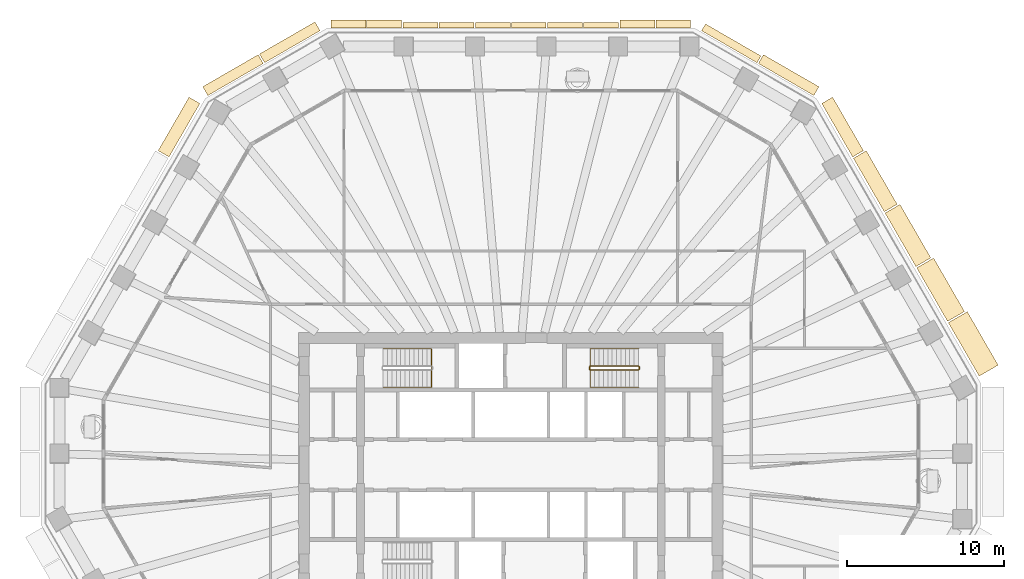
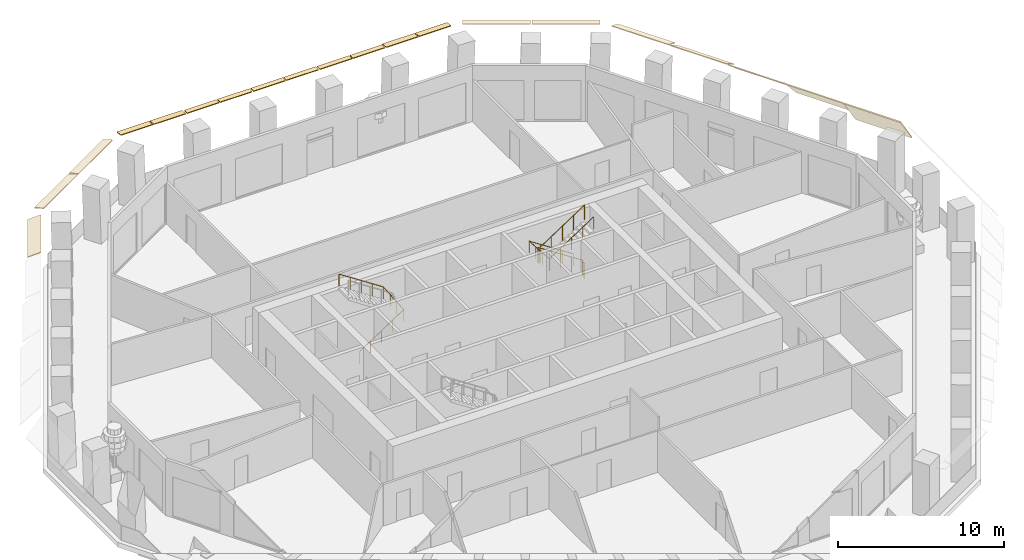
# One storey, part 11 of 13: 20 coverings, 3 railings.
"""IFC4 building model written with IfcOpenShell, lengths in metres."""

from ifc_helpers import new_model, si_unit, direction, frame, origin, origin_2d, place, context, subcontext, project, spatial, polyline, circle, outline, extrude, material, layer, layer_set, type_object, element, save


model = new_model("IFC4")

# Units and contexts
model_context = context("Model", 3, precision=1e-05, world=origin(), true_north=direction((0.0, 1.0)))
body_context = subcontext(model_context, "Body", "Model", "MODEL_VIEW")
ifc_project = project(units=[si_unit("LENGTHUNIT", "METRE"), si_unit("AREAUNIT", "SQUARE_METRE"), si_unit("VOLUMEUNIT", "CUBIC_METRE"), si_unit("PLANEANGLEUNIT", "RADIAN"), si_unit("MASSUNIT", "GRAM", prefix="KILO")], contexts=[model_context])

# Site, building, storey
site_placement = place(None, origin())
site = spatial("IfcSite", under=ifc_project, at=site_placement, CompositionType="ELEMENT")
building_placement = place(site_placement, origin())
building = spatial("IfcBuilding", under=site, at=building_placement, Name="Frailejon Research Tower", CompositionType="ELEMENT")
storey_placement = place(building_placement, frame((0.0, 0.0, 167.199951171875)))
storey = spatial("IfcBuildingStorey", under=building, at=storey_placement, Name="L36", CompositionType="ELEMENT", Elevation=167.199951171875)

# Coverings
ifc_material_1 = material(Name="Precast concrete C50/60", Category="concrete")
ifc_layer_1 = layer(ifc_material_1, 0.06005859375)
ifc_layer_set_1 = layer_set([ifc_layer_1], Name="Brim blade depth 1100")
covering_type_1 = type_object("IfcCoveringType", Name="Brim blade depth 1100", PredefinedType="CLADDING", material=ifc_layer_set_1)
covering_1_placement = place(storey_placement, frame((23.8955078125, 16.071044921875, 4.25), z_axis=(0.500009543026, -0.866019894046, 0.0), x_axis=(0.866019894046, 0.500009543026, 0.0)))
element("IfcCovering", 1, at=covering_1_placement, inside=storey, type_object=covering_type_1, Name="Brim blade L36", PredefinedType="CLADDING", context=body_context, shape_type="SweptSolid", body=[
    extrude(outline(polyline([(0.0, -0.078369140625), (1.10009765625, -1.001220703125), (1.10009765625, -0.923095703125), (0.0, 0.0), (0.0, -0.078369140625)])), origin(), (0.0, 0.0, 1.0), 3.940185546875),
])
ifc_material_2 = material(Name="Precast concrete C50/60", Category="concrete")
ifc_layer_2 = layer(ifc_material_2, 0.06005859375)
ifc_layer_set_2 = layer_set([ifc_layer_2], Name="Brim blade depth 1250")
covering_type_2 = type_object("IfcCoveringType", Name="Brim blade depth 1250", PredefinedType="CLADDING", material=ifc_layer_set_2)
covering_2_placement = place(storey_placement, frame((25.915771484375, 12.572021484375, 4.25), z_axis=(0.499990979749, -0.866030611566, 0.0), x_axis=(0.866030611566, 0.499990979749, 0.0)))
element("IfcCovering", 2, at=covering_2_placement, inside=storey, type_object=covering_type_2, Name="Brim blade L36", PredefinedType="CLADDING", context=body_context, shape_type="SweptSolid", body=[
    extrude(outline(polyline([(0.0, -0.0888671875), (1.25, -1.452880859375), (1.25, -1.364013671875), (0.0, 0.0), (0.0, -0.0888671875)])), origin(), (0.0, 0.0, 1.0), 3.940185546875),
])
ifc_material_3 = material(Name="Precast concrete C50/60", Category="concrete")
ifc_layer_3 = layer(ifc_material_3, 0.06005859375)
ifc_layer_set_3 = layer_set([ifc_layer_3], Name="Brim blade depth 1400")
covering_type_3 = type_object("IfcCoveringType", Name="Brim blade depth 1400", PredefinedType="CLADDING", material=ifc_layer_set_3)
covering_3_placement = place(storey_placement, frame((27.935791015625, 9.072998046875, 4.25), z_axis=(0.499998825824, -0.866026081694, 0.0), x_axis=(0.866026081694, 0.499998825824, 0.0)))
element("IfcCovering", 3, at=covering_3_placement, inside=storey, type_object=covering_type_3, Name="Brim blade L36", PredefinedType="CLADDING", context=body_context, shape_type="SweptSolid", body=[
    extrude(outline(polyline([(0.0, -0.1044921875), (1.39990234375, -2.10400390625), (1.39990234375, -1.99951171875), (0.0, 0.0), (0.0, -0.1044921875)])), origin(), (0.0, 0.0, 1.0), 3.9404296875),
])
ifc_material_4 = material(Name="Precast concrete C50/60", Category="concrete")
ifc_layer_4 = layer(ifc_material_4, 0.06005859375)
ifc_layer_set_4 = layer_set([ifc_layer_4], Name="Brim blade depth 350")
covering_type_4 = type_object("IfcCoveringType", Name="Brim blade depth 350", PredefinedType="CLADDING", material=ifc_layer_set_4)
for number, where, z_axis, x_axis, name in (
    (4, (4.64501953125, 27.89990234375, 4.25), (1.0, 0.0, 0.0), (0.0, 1.0, 0.0), "Brim blade L36"),
    (5, (2.357666015625, 27.89990234375, 4.25), (1.0, 0.0, 0.0), (0.0, 1.0, 0.0), "Brim blade L36"),
    (6, (0.030029296875, 27.89990234375, 4.25), (1.0, 0.0, 0.0), (0.0, 1.0, 0.0), "Brim blade L36"),
    (7, (-2.257568359375, 27.89990234375, 4.25), (1.0, 0.0, 0.0), (0.0, 1.0, 0.0), "Brim blade L36"),
    (8, (-4.585205078125, 27.89990234375, 4.25), (1.0, 0.0, 0.0), (0.0, 1.0, 0.0), "Brim blade L36"),
    (9, (-6.872802734375, 27.89990234375, 4.25), (1.0, 0.0, 0.0), (0.0, 1.0, 0.0), "Brim blade L36"),
):
    element("IfcCovering", number, at=place(storey_placement, frame(where, z_axis=z_axis, x_axis=x_axis)), inside=storey, type_object=covering_type_4, Name=name, PredefinedType="CLADDING", context=body_context, shape_type="SweptSolid", body=[
        extrude(outline(polyline([(0.0, -0.06005859375), (0.35009765625, -0.06005859375), (0.35009765625, 0.0), (0.0, 0.0), (0.0, -0.06005859375)])), origin(), (0.0, 0.0, 1.0), 2.2275390625),
    ])
ifc_material_5 = material(Name="Precast concrete C50/60", Category="concrete")
ifc_layer_5 = layer(ifc_material_5, 0.06005859375)
ifc_layer_set_5 = layer_set([ifc_layer_5], Name="Brim blade depth 500")
covering_type_5 = type_object("IfcCoveringType", Name="Brim blade depth 500", PredefinedType="CLADDING", material=ifc_layer_set_5)
covering_4_placement = place(storey_placement, frame((12.18115234375, 27.714111328125, 4.25), z_axis=(0.866021344981, -0.500007029989, 0.0), x_axis=(0.500007029989, 0.866021344981, 0.0)))
element("IfcCovering", 10, at=covering_4_placement, inside=storey, type_object=covering_type_5, Name="Brim blade L36", PredefinedType="CLADDING", context=body_context, shape_type="SweptSolid", body=[
    extrude(outline(polyline([(0.0, -0.060546875), (0.5, -0.130859375), (0.5, -0.0703125), (0.0, 0.0), (0.0, -0.060546875)])), origin(), (0.0, 0.0, 1.0), 4.08740234375),
])
for number, where, z_axis, x_axis, name in (
    (11, (9.26025390625, 27.89990234375, 4.25), (1.0, 0.0, 0.0), (0.0, 1.0, 0.0), "Brim blade L36"),
    (12, (6.97265625, 27.89990234375, 4.25), (1.0, 0.0, 0.0), (0.0, 1.0, 0.0), "Brim blade L36"),
    (13, (-9.2001953125, 27.89990234375, 4.25), (1.0, 0.0, 0.0), (0.0, 1.0, 0.0), "Brim blade L36"),
    (14, (-11.48779296875, 27.89990234375, 4.25), (1.0, 0.0, 0.0), (0.0, 1.0, 0.0), "Brim blade L36"),
):
    element("IfcCovering", number, at=place(storey_placement, frame(where, z_axis=z_axis, x_axis=x_axis)), inside=storey, type_object=covering_type_5, Name=name, PredefinedType="CLADDING", context=body_context, shape_type="SweptSolid", body=[
        extrude(outline(polyline([(0.0, -0.060546875), (0.5, -0.130859375), (0.5, -0.0703125), (0.0, 0.0), (0.0, -0.060546875)])), origin(), (0.0, 0.0, 1.0), 2.2275390625),
    ])
ifc_material_6 = material(Name="Precast concrete C50/60", Category="concrete")
ifc_layer_6 = layer(ifc_material_6, 0.06005859375)
ifc_layer_set_6 = layer_set([ifc_layer_6], Name="Brim blade depth 650")
covering_type_6 = type_object("IfcCoveringType", Name="Brim blade depth 650", PredefinedType="CLADDING", material=ifc_layer_set_6)
for number, where, z_axis, x_axis, name in (
    (15, (15.8076171875, 25.620361328125, 4.25), (0.866021344981, -0.500007029989, 0.0), (0.500007029989, 0.866021344981, 0.0), "Brim blade L36"),
    (16, (-15.72119140625, 25.67041015625, 4.25), (0.866021344981, 0.500007029989, 0.0), (-0.500007029989, 0.866021344981, 0.0), "Brim blade L36"),
    (17, (-19.34765625, 23.57666015625, 4.25), (0.866021344981, 0.500007029989, 0.0), (-0.500007029989, 0.866021344981, 0.0), "Brim blade L36"),
):
    element("IfcCovering", number, at=place(storey_placement, frame(where, z_axis=z_axis, x_axis=x_axis)), inside=storey, type_object=covering_type_6, Name=name, PredefinedType="CLADDING", context=body_context, shape_type="SweptSolid", body=[
        extrude(outline(polyline([(0.0, -0.0625), (0.64990234375, -0.248779296875), (0.64990234375, -0.186279296875), (0.0, 0.0), (0.0, -0.0625)])), origin(), (0.0, 0.0, 1.0), 4.08740234375),
    ])
ifc_material_7 = material(Name="Precast concrete C50/60", Category="concrete")
ifc_layer_7 = layer(ifc_material_7, 0.06005859375)
ifc_layer_set_7 = layer_set([ifc_layer_7], Name="Brim blade depth 800")
covering_type_7 = type_object("IfcCoveringType", Name="Brim blade depth 800", PredefinedType="CLADDING", material=ifc_layer_set_7)
for number, where, z_axis, x_axis, name in (
    (18, (19.85498046875, 23.069091796875, 4.25), (0.500009543026, -0.866019894046, 0.0), (0.866019894046, 0.500009543026, 0.0), "Brim blade L36"),
    (19, (-21.8251953125, 19.65673828125, 4.25), (0.500009543026, 0.866019894046, 0.0), (-0.866019894046, 0.500009543026, 0.0), "Brim blade L36"),
):
    element("IfcCovering", number, at=place(storey_placement, frame(where, z_axis=z_axis, x_axis=x_axis)), inside=storey, type_object=covering_type_7, Name=name, PredefinedType="CLADDING", context=body_context, shape_type="SweptSolid", body=[
        extrude(outline(polyline([(0.0, -0.065673828125), (0.800048828125, -0.421875), (0.800048828125, -0.356201171875), (0.0, 0.0), (0.0, -0.065673828125)])), origin(), (0.0, 0.0, 1.0), 3.940185546875),
    ])
ifc_material_8 = material(Name="Precast concrete C50/60", Category="concrete")
ifc_layer_8 = layer(ifc_material_8, 0.06005859375)
ifc_layer_set_8 = layer_set([ifc_layer_8], Name="Brim blade depth 950")
covering_type_8 = type_object("IfcCoveringType", Name="Brim blade depth 950", PredefinedType="CLADDING", material=ifc_layer_set_8)
covering_5_placement = place(storey_placement, frame((21.875244140625, 19.570068359375, 4.25), z_axis=(0.499998825824, -0.866026081694, 0.0), x_axis=(0.866026081694, 0.499998825824, 0.0)))
element("IfcCovering", 20, at=covering_5_placement, inside=storey, type_object=covering_type_8, Name="Brim blade L36", PredefinedType="CLADDING", context=body_context, shape_type="SweptSolid", body=[
    extrude(outline(polyline([(0.0, -0.07080078125), (0.949951171875, -0.664306640625), (0.949951171875, -0.593505859375), (0.0, 0.0), (0.0, -0.07080078125)])), origin(), (0.0, 0.0, 1.0), 3.9404296875),
])

# Railings
ifc_material_9 = material(Name="Stainless steel", Category="steel")
railing_type_1 = type_object("IfcRailingType", Name="Stair guard 1100", PredefinedType="GUARDRAIL", material=ifc_material_9)
railing_1_placement = place(storey_placement, frame((8.199951171875, 6.10009765625, 0.0)))
element("IfcRailing", 21, at=railing_1_placement, inside=storey, type_object=railing_type_1, Name="L36 ST3 stair guard 1", PredefinedType="GUARDRAIL", context=body_context, shape_type="SweptSolid", body=[
    extrude(circle(Radius=0.02392578125, at=origin_2d()), frame((0.0, 0.0, 1.076171875), z_axis=(0.0, 1.0, 0.0), x_axis=(-1.0, 0.0, 0.0)), (0.0, 0.0, 1.0), 0.14990234375),
    extrude(circle(Radius=0.02392578125, at=origin_2d()), frame((0.0, 0.14990234375, 1.076171875), z_axis=(-0.254653276557, 0.254653276557, 0.932900539971), x_axis=(-0.707106781187, -0.707106781187, 0.0)), (0.0, 0.0, 1.0), 0.196533203125),
    extrude(circle(Radius=0.02392578125, at=origin_2d()), frame((-0.050048828125, 0.199951171875, 1.25927734375), z_axis=(-0.836613101238, 0.0, 0.547794230379), x_axis=(0.0, -1.0, 0.0)), (0.0, 0.0, 1.0), 3.681396484375),
    extrude(circle(Radius=0.02392578125, at=origin_2d()), frame((-3.1298828125, 0.199951171875, 3.27587890625), z_axis=(-0.707106781187, -0.707106781187, 0.0), x_axis=(0.707106781187, -0.707106781187, 0.0)), (0.0, 0.0, 1.0), 0.07080078125),
    extrude(circle(Radius=0.02392578125, at=origin_2d()), frame((-3.179931640625, 0.14990234375, 3.27587890625), z_axis=(0.0, -1.0, 0.0), x_axis=(1.0, 0.0, 0.0)), (0.0, 0.0, 1.0), 0.14990234375),
    extrude(circle(Radius=0.02392578125, at=origin_2d()), frame((-3.179931640625, 0.0, 3.27587890625), z_axis=(0.254653276557, -0.254653276557, 0.932900539971), x_axis=(0.707106781187, 0.707106781187, 0.0)), (0.0, 0.0, 1.0), 0.196533203125),
    extrude(circle(Radius=0.02392578125, at=origin_2d()), frame((-3.1298828125, -0.050048828125, 3.45947265625), z_axis=(0.836582707638, 0.0, 0.547840645882), x_axis=(0.0, 1.0, 0.0)), (0.0, 0.0, 1.0), 3.681396484375),
    extrude(circle(Radius=0.02099609375, at=origin_2d()), origin(), (0.0, 0.0, 1.0), 1.052001953125),
    extrude(circle(Radius=0.02099609375, at=origin_2d()), frame((0.0, 0.14990234375, 0.0)), (0.0, 0.0, 1.0), 1.052001953125),
    extrude(circle(Radius=0.02099609375, at=origin_2d()), frame((-0.050048828125, 0.199951171875, 0.183349609375)), (0.0, 0.0, 1.0), 1.052001953125),
    extrude(circle(Radius=0.02099609375, at=origin_2d()), frame((-0.820068359375, 0.199951171875, 0.6875)), (0.0, 0.0, 1.0), 1.052001953125),
    extrude(circle(Radius=0.02099609375, at=origin_2d()), frame((-1.58984375, 0.199951171875, 1.191650390625)), (0.0, 0.0, 1.0), 1.052001953125),
    extrude(circle(Radius=0.02099609375, at=origin_2d()), frame((-2.35986328125, 0.199951171875, 1.69580078125)), (0.0, 0.0, 1.0), 1.052001953125),
    extrude(circle(Radius=0.02099609375, at=origin_2d()), frame((-3.1298828125, 0.199951171875, 2.199951171875)), (0.0, 0.0, 1.0), 1.052001953125),
    extrude(circle(Radius=0.02099609375, at=origin_2d()), frame((-3.179931640625, 0.14990234375, 2.199951171875)), (0.0, 0.0, 1.0), 1.052001953125),
    extrude(circle(Radius=0.02099609375, at=origin_2d()), frame((-3.179931640625, 0.0, 2.199951171875)), (0.0, 0.0, 1.0), 1.052001953125),
    extrude(circle(Radius=0.02099609375, at=origin_2d()), frame((-3.1298828125, -0.050048828125, 2.38330078125)), (0.0, 0.0, 1.0), 1.052001953125),
    extrude(circle(Radius=0.02099609375, at=origin_2d()), frame((-2.35986328125, -0.050048828125, 2.887451171875)), (0.0, 0.0, 1.0), 1.052001953125),
    extrude(circle(Radius=0.02099609375, at=origin_2d()), frame((-1.58984375, -0.050048828125, 3.3916015625)), (0.0, 0.0, 1.0), 1.052001953125),
    extrude(circle(Radius=0.02099609375, at=origin_2d()), frame((-0.820068359375, -0.050048828125, 3.89599609375)), (0.0, 0.0, 1.0), 1.052001953125),
    extrude(circle(Radius=0.02099609375, at=origin_2d()), frame((-0.050048828125, -0.050048828125, 4.400146484375)), (0.0, 0.0, 1.0), 1.052001953125),
])
ifc_material_10 = material(Name="Stainless steel", Category="steel")
railing_type_2 = type_object("IfcRailingType", Name="Stair handrail 900", PredefinedType="HANDRAIL", material=ifc_material_10)
railing_2_placement = place(storey_placement, frame((-8.14990234375, 4.949951171875, 0.183349609375)))
element("IfcRailing", 22, at=railing_2_placement, inside=storey, type_object=railing_type_2, Name="L36 ST1 stair handrail 1", PredefinedType="HANDRAIL", context=body_context, shape_type="SweptSolid", body=[
    extrude(circle(Radius=0.02392578125, at=origin_2d()), frame((0.0, 0.0, 0.8759765625), z_axis=(0.836613101238, 0.0, 0.547794230379), x_axis=(0.0, 1.0, 0.0)), (0.0, 0.0, 1.0), 3.681396484375),
    extrude(circle(Radius=0.02392578125, at=origin_2d()), frame((3.079833984375, 0.0, 2.892578125), z_axis=(0.0, 0.99721134034, 0.074629368868), x_axis=(-1.0, 0.0, 0.0)), (0.0, 0.0, 1.0), 2.456787109375),
    extrude(circle(Radius=0.02392578125, at=origin_2d()), frame((3.079833984375, 2.449951171875, 3.07568359375), z_axis=(-0.836582707638, 0.0, 0.547840645882), x_axis=(0.0, -1.0, 0.0)), (0.0, 0.0, 1.0), 3.681396484375),
    extrude(circle(Radius=0.02099609375, at=origin_2d()), origin(), (0.0, 0.0, 1.0), 0.851806640625),
    extrude(circle(Radius=0.02099609375, at=origin_2d()), frame((0.77001953125, 0.0, 0.504150390625)), (0.0, 0.0, 1.0), 0.851806640625),
    extrude(circle(Radius=0.02099609375, at=origin_2d()), frame((1.5400390625, 0.0, 1.00830078125)), (0.0, 0.0, 1.0), 0.851806640625),
    extrude(circle(Radius=0.02099609375, at=origin_2d()), frame((2.309814453125, 0.0, 1.512451171875)), (0.0, 0.0, 1.0), 0.851806640625),
    extrude(circle(Radius=0.02099609375, at=origin_2d()), frame((3.079833984375, 0.0, 2.0166015625)), (0.0, 0.0, 1.0), 0.851806640625),
    extrude(circle(Radius=0.02099609375, at=origin_2d()), frame((3.079833984375, 0.816650390625, 2.07763671875)), (0.0, 0.0, 1.0), 0.851806640625),
    extrude(circle(Radius=0.02099609375, at=origin_2d()), frame((3.079833984375, 1.63330078125, 2.138916015625)), (0.0, 0.0, 1.0), 0.851806640625),
    extrude(circle(Radius=0.02099609375, at=origin_2d()), frame((3.079833984375, 2.449951171875, 2.199951171875)), (0.0, 0.0, 1.0), 0.851806640625),
    extrude(circle(Radius=0.02099609375, at=origin_2d()), frame((2.309814453125, 2.449951171875, 2.7041015625)), (0.0, 0.0, 1.0), 0.851806640625),
    extrude(circle(Radius=0.02099609375, at=origin_2d()), frame((1.5400390625, 2.449951171875, 3.20849609375)), (0.0, 0.0, 1.0), 0.851806640625),
    extrude(circle(Radius=0.02099609375, at=origin_2d()), frame((0.77001953125, 2.449951171875, 3.712646484375)), (0.0, 0.0, 1.0), 0.851806640625),
    extrude(circle(Radius=0.02099609375, at=origin_2d()), frame((0.0, 2.449951171875, 4.216796875)), (0.0, 0.0, 1.0), 0.851806640625),
])
railing_3_placement = place(storey_placement, frame((8.14990234375, 7.39990234375, 0.183349609375)))
element("IfcRailing", 23, at=railing_3_placement, inside=storey, type_object=railing_type_2, Name="L36 ST3 stair handrail 1", PredefinedType="HANDRAIL", context=body_context, shape_type="SweptSolid", body=[
    extrude(circle(Radius=0.02392578125, at=origin_2d()), frame((0.0, 0.0, 0.8759765625), z_axis=(-0.836613101238, 0.0, 0.547794230379), x_axis=(0.0, -1.0, 0.0)), (0.0, 0.0, 1.0), 3.681396484375),
    extrude(circle(Radius=0.02392578125, at=origin_2d()), frame((-3.079833984375, 0.0, 2.892578125), z_axis=(0.0, -0.99721134034, 0.074629368868), x_axis=(1.0, 0.0, 0.0)), (0.0, 0.0, 1.0), 2.456787109375),
    extrude(circle(Radius=0.02392578125, at=origin_2d()), frame((-3.079833984375, -2.449951171875, 3.07568359375), z_axis=(0.836582707638, 0.0, 0.547840645882), x_axis=(0.0, 1.0, 0.0)), (0.0, 0.0, 1.0), 3.681396484375),
    extrude(circle(Radius=0.02099609375, at=origin_2d()), origin(), (0.0, 0.0, 1.0), 0.851806640625),
    extrude(circle(Radius=0.02099609375, at=origin_2d()), frame((-0.77001953125, 0.0, 0.504150390625)), (0.0, 0.0, 1.0), 0.851806640625),
    extrude(circle(Radius=0.02099609375, at=origin_2d()), frame((-1.5400390625, 0.0, 1.00830078125)), (0.0, 0.0, 1.0), 0.851806640625),
    extrude(circle(Radius=0.02099609375, at=origin_2d()), frame((-2.309814453125, 0.0, 1.512451171875)), (0.0, 0.0, 1.0), 0.851806640625),
    extrude(circle(Radius=0.02099609375, at=origin_2d()), frame((-3.079833984375, 0.0, 2.0166015625)), (0.0, 0.0, 1.0), 0.851806640625),
    extrude(circle(Radius=0.02099609375, at=origin_2d()), frame((-3.079833984375, -0.816650390625, 2.07763671875)), (0.0, 0.0, 1.0), 0.851806640625),
    extrude(circle(Radius=0.02099609375, at=origin_2d()), frame((-3.079833984375, -1.63330078125, 2.138916015625)), (0.0, 0.0, 1.0), 0.851806640625),
    extrude(circle(Radius=0.02099609375, at=origin_2d()), frame((-3.079833984375, -2.449951171875, 2.199951171875)), (0.0, 0.0, 1.0), 0.851806640625),
    extrude(circle(Radius=0.02099609375, at=origin_2d()), frame((-2.309814453125, -2.449951171875, 2.7041015625)), (0.0, 0.0, 1.0), 0.851806640625),
    extrude(circle(Radius=0.02099609375, at=origin_2d()), frame((-1.5400390625, -2.449951171875, 3.20849609375)), (0.0, 0.0, 1.0), 0.851806640625),
    extrude(circle(Radius=0.02099609375, at=origin_2d()), frame((-0.77001953125, -2.449951171875, 3.712646484375)), (0.0, 0.0, 1.0), 0.851806640625),
    extrude(circle(Radius=0.02099609375, at=origin_2d()), frame((0.0, -2.449951171875, 4.216796875)), (0.0, 0.0, 1.0), 0.851806640625),
])

save(model, "model.ifc")
